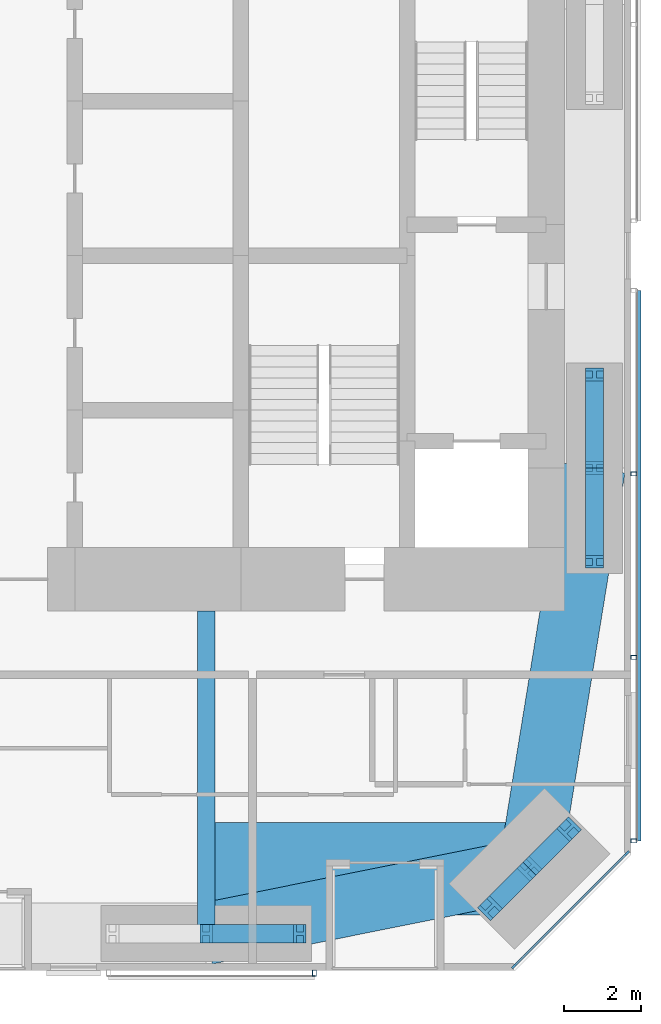
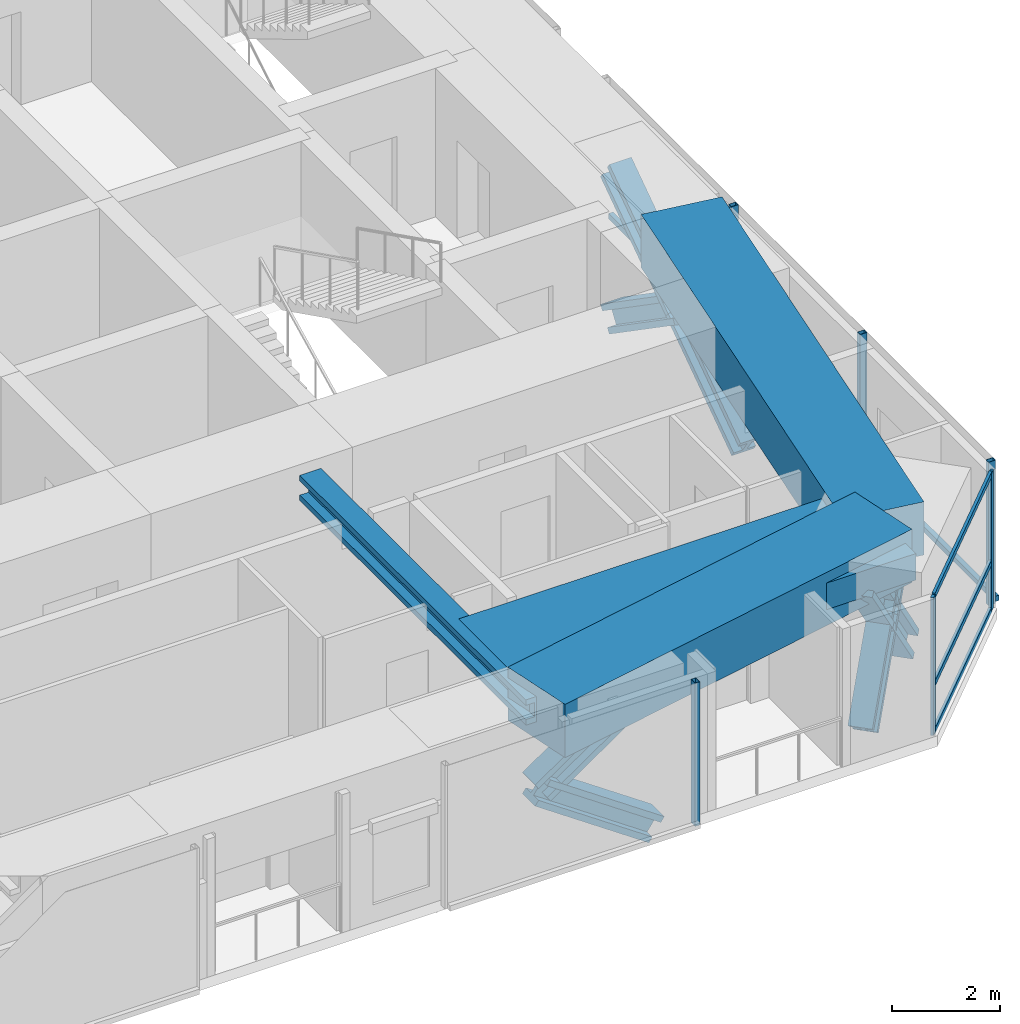
# One storey, part 9 of 24: 20 members, 4 beams, 3 elements without a shape of their own.
"""IFC4 building model written with IfcOpenShell, lengths in metres."""

from ifc_helpers import new_model, si_unit, direction, frame, origin, origin_2d, place, context, subcontext, project, spatial, rectangle, hollow_rectangle, i_section, extrude, material, material_profile, profile_set, type_object, element, aggregate, save


model = new_model("IFC4")

# Units and contexts
model_context = context("Model", 3, precision=1e-05, world=origin(), true_north=direction((0.0, 1.0)))
body_context = subcontext(model_context, "Body", "Model", "MODEL_VIEW")
ifc_project = project(units=[si_unit("LENGTHUNIT", "METRE"), si_unit("AREAUNIT", "SQUARE_METRE"), si_unit("VOLUMEUNIT", "CUBIC_METRE"), si_unit("PLANEANGLEUNIT", "RADIAN"), si_unit("MASSUNIT", "GRAM", prefix="KILO")], contexts=[model_context])

# Site, building, storey
site_placement = place(None, origin())
site = spatial("IfcSite", under=ifc_project, at=site_placement, CompositionType="ELEMENT")
building_placement = place(site_placement, origin())
building = spatial("IfcBuilding", under=site, at=building_placement, Name="Jalousie Tower", CompositionType="ELEMENT")
storey_placement = place(building_placement, frame((0.0, 0.0, 44.449951171875)))
storey = spatial("IfcBuildingStorey", under=building, at=storey_placement, Name="L11", CompositionType="ELEMENT", Elevation=44.449951171875)

# Curtain wall, members
ifc_material_1 = material(Name="Aluminium curtain wall", Category="aluminium")
curtain_wall_type_1 = type_object("IfcCurtainWallType", Name="CORNER WINDOW WALL", PredefinedType="USERDEFINED", material=ifc_material_1)
curtain_wall_1_placement = place(storey_placement, origin())
curtain_wall_1 = element("IfcCurtainWall", 1, at=curtain_wall_1_placement, inside=storey, type_object=curtain_wall_type_1, Name="Corner Window Wall L11 2", ObjectType="CORNER WINDOW WALL", PredefinedType="USERDEFINED")
ifc_material_2 = material(Name="Aluminium mullion", Category="aluminium")
ifc_material_profile_1 = material_profile(ifc_material_2, rectangle(XDim=0.06005859375, YDim=0.14990234375, at=origin_2d()), Name="MULLION 60x150")
ifc_profile_set_1 = profile_set([ifc_material_profile_1], Name="Aluminium mullion")
member_type_1 = type_object("IfcMemberType", Name="CORNER WINDOW WALL MULLION", PredefinedType="MULLION", material=ifc_profile_set_1)
member_1_placement = place(storey_placement, frame((42.969970703125, 0.108642578125, 0.0), z_axis=(0.0, 0.0, 1.0), x_axis=(-0.707106781187, 0.707106781187, 0.0)))
member_1 = element("IfcMember", 2, at=member_1_placement, type_object=member_type_1, Name="CW-C mullion 1", PredefinedType="MULLION", context=body_context, shape_type="SweptSolid", body=[
    extrude(rectangle(XDim=0.06005859375, YDim=0.14990234375, at=origin_2d()), origin(), (0.0, 0.0, 1.0), 3.110107421875),
])
member_2_placement = place(storey_placement, frame((45.891357421875, 3.030029296875, 0.0), z_axis=(0.0, 0.0, 1.0), x_axis=(-0.707106781187, 0.707106781187, 0.0)))
member_2 = element("IfcMember", 3, at=member_2_placement, type_object=member_type_1, Name="CW-C mullion 2", PredefinedType="MULLION", context=body_context, shape_type="SweptSolid", body=[
    extrude(rectangle(XDim=0.06005859375, YDim=0.14990234375, at=origin_2d()), origin(), (0.0, 0.0, 1.0), 3.110107421875),
])
ifc_material_3 = material(Name="Aluminium transom", Category="aluminium")
ifc_material_profile_2 = material_profile(ifc_material_3, rectangle(XDim=0.06005859375, YDim=0.1201171875, at=origin_2d()), Name="TRANSOM 60x120")
ifc_profile_set_2 = profile_set([ifc_material_profile_2], Name="Aluminium transom")
member_type_2 = type_object("IfcMemberType", Name="CORNER WINDOW WALL TRANSOM", PredefinedType="USERDEFINED", material=ifc_profile_set_2)
member_3_placement = place(storey_placement, frame((42.9912109375, 0.1298828125, 0.030029296875), z_axis=(0.707106781187, 0.707106781187, 0.0), x_axis=(-0.707106781187, 0.707106781187, 0.0)))
member_3 = element("IfcMember", 4, at=member_3_placement, type_object=member_type_2, Name="CW-C transom 1.1", ObjectType="TRANSOM", PredefinedType="USERDEFINED", context=body_context, shape_type="SweptSolid", body=[
    extrude(rectangle(XDim=0.06005859375, YDim=0.1201171875, at=origin_2d()), origin(), (0.0, 0.0, 1.0), 4.0712890625),
])
member_4_placement = place(storey_placement, frame((42.9912109375, 0.1298828125, 1.10009765625), z_axis=(0.707106781187, 0.707106781187, 0.0), x_axis=(-0.707106781187, 0.707106781187, 0.0)))
member_4 = element("IfcMember", 5, at=member_4_placement, type_object=member_type_2, Name="CW-C transom 1.2", ObjectType="TRANSOM", PredefinedType="USERDEFINED", context=body_context, shape_type="SweptSolid", body=[
    extrude(rectangle(XDim=0.06005859375, YDim=0.1201171875, at=origin_2d()), origin(), (0.0, 0.0, 1.0), 4.0712890625),
])
member_5_placement = place(storey_placement, frame((42.9912109375, 0.1298828125, 3.080078125), z_axis=(0.707106781187, 0.707106781187, 0.0), x_axis=(-0.707106781187, 0.707106781187, 0.0)))
member_5 = element("IfcMember", 6, at=member_5_placement, type_object=member_type_2, Name="CW-C transom 1.3", ObjectType="TRANSOM", PredefinedType="USERDEFINED", context=body_context, shape_type="SweptSolid", body=[
    extrude(rectangle(XDim=0.06005859375, YDim=0.1201171875, at=origin_2d()), origin(), (0.0, 0.0, 1.0), 4.0712890625),
])
aggregate(curtain_wall_1, [member_1, member_2, member_3, member_4, member_5])

# Beam
ifc_material_4 = material(Name="Steel ASTM A992 Grade 50", Category="steel")
ifc_material_profile_3 = material_profile(ifc_material_4, i_section(OverallWidth=0.45458984375, OverallDepth=0.569091796875, WebThickness=0.077880859375, FlangeThickness=0.124755859375, at=origin_2d()), Name="W14X730")
ifc_profile_set_3 = profile_set([ifc_material_profile_3], Name="Steel ASTM A992 Grade 50")
beam_type_1 = type_object("IfcBeamType", Name="LEAN COLLECTOR W14X730", PredefinedType="BEAM", material=ifc_profile_set_3)
beam_1_placement = place(storey_placement, frame((35.0, 0.949951171875, 2.825439453125), z_axis=(0.0, 1.0, 0.0), x_axis=(-1.0, 0.0, 0.0)))
element("IfcBeam", 7, at=beam_1_placement, inside=storey, type_object=beam_type_1, Name="Lean collector under L12", PredefinedType="BEAM", context=body_context, shape_type="SweptSolid", body=[
    extrude(i_section(OverallWidth=0.45458984375, OverallDepth=0.569091796875, WebThickness=0.077880859375, FlangeThickness=0.124755859375, at=origin_2d()), origin(), (0.0, 0.0, 1.0), 8.35009765625),
])

# Members
ifc_material_5 = material(Name="Steel ASTM A992 Grade 50", Category="steel")
ifc_material_profile_4 = material_profile(ifc_material_5, i_section(OverallWidth=0.472412109375, OverallDepth=0.5791015625, WebThickness=0.094970703125, FlangeThickness=0.1298828125, at=origin_2d()), Name="W14X808")
ifc_profile_set_4 = profile_set([ifc_material_profile_4], Name="Steel ASTM A992 Grade 50")
member_type_3 = type_object("IfcMemberType", Name="PERIMETER BRACE W14X808", PredefinedType="BRACE", material=ifc_profile_set_4)
for number, where, z_axis, x_axis, name in (
    (8, (35.0, 0.949951171875, 1.074951171875), (0.822800062329, 0.0, 0.568330940062), (0.0, 1.0, 0.0), "Perimeter brace 04 L11 part 2"),
    (9, (37.425048828125, 0.949951171875, -0.599853515625), (-0.82283879777, 0.0, 0.568274856811), (0.0, -1.0, 0.0), "Perimeter brace 04 L11 part 3"),
):
    element("IfcMember", number, at=place(storey_placement, frame(where, z_axis=z_axis, x_axis=x_axis)), inside=storey, type_object=member_type_3, Name=name, PredefinedType="BRACE", context=body_context, shape_type="SweptSolid", body=[
        extrude(i_section(OverallWidth=0.472412109375, OverallDepth=0.5791015625, WebThickness=0.094970703125, FlangeThickness=0.1298828125, at=origin_2d()), origin(), (0.0, 0.0, 1.0), 2.947265625),
    ])
for number, where, z_axis, x_axis, name in (
    (10, (42.34326171875, 1.606201171875, -0.599853515625), (0.462878559809, 0.462768350628, 0.756034981021), (-0.707022586774, 0.707190965575, 0.0), "Perimeter brace 05 L11 part 1"),
    (11, (43.36865234375, 2.63134765625, 1.074951171875), (0.462729793854, 0.462839993852, 0.756082189957), (-0.707190965575, 0.707022586774, 0.0), "Perimeter brace 05 L11 part 2"),
    (12, (44.393798828125, 3.65673828125, -0.599853515625), (-0.462768350628, -0.462878559809, 0.756034981021), (0.707190965575, -0.707022586774, 0.0), "Perimeter brace 05 L11 part 3"),
    (13, (43.36865234375, 2.63134765625, 1.074951171875), (-0.462839993852, -0.462729793854, 0.756082189957), (0.707022586774, -0.707190965575, 0.0), "Perimeter brace 05 L11 part 4"),
):
    element("IfcMember", number, at=place(storey_placement, frame(where, z_axis=z_axis, x_axis=x_axis)), inside=storey, type_object=member_type_3, Name=name, PredefinedType="BRACE", context=body_context, shape_type="SweptSolid", body=[
        extrude(i_section(OverallWidth=0.472412109375, OverallDepth=0.5791015625, WebThickness=0.094970703125, FlangeThickness=0.1298828125, at=origin_2d()), origin(), (0.0, 0.0, 1.0), 2.21533203125),
    ])
for number, where, z_axis, x_axis, name in (
    (14, (45.050048828125, 10.574951171875, -0.599853515625), (0.0, 0.82283879777, 0.568274856811), (-1.0, 0.0, 0.0), "Perimeter brace 06 L11 part 1"),
    (15, (45.050048828125, 13.0, 1.074951171875), (0.0, 0.822800062329, 0.568330940062), (-1.0, 0.0, 0.0), "Perimeter brace 06 L11 part 2"),
    (16, (45.050048828125, 15.425048828125, -0.599853515625), (0.0, -0.82283879777, 0.568274856811), (1.0, 0.0, 0.0), "Perimeter brace 06 L11 part 3"),
    (17, (45.050048828125, 13.0, 1.074951171875), (0.0, -0.822800062329, 0.568330940062), (1.0, 0.0, 0.0), "Perimeter brace 06 L11 part 4"),
):
    element("IfcMember", number, at=place(storey_placement, frame(where, z_axis=z_axis, x_axis=x_axis)), inside=storey, type_object=member_type_3, Name=name, PredefinedType="BRACE", context=body_context, shape_type="SweptSolid", body=[
        extrude(i_section(OverallWidth=0.472412109375, OverallDepth=0.5791015625, WebThickness=0.094970703125, FlangeThickness=0.1298828125, at=origin_2d()), origin(), (0.0, 0.0, 1.0), 2.947265625),
    ])

# Beams
ifc_material_6 = material(Name="Concrete f'c 40 MPa", Category="concrete")
ifc_material_profile_5 = material_profile(ifc_material_6, rectangle(XDim=1.60009765625, YDim=1.199951171875, at=origin_2d()), Name="RC 1600x1200")
ifc_profile_set_5 = profile_set([ifc_material_profile_5], Name="Concrete f'c 40 MPa")
beam_type_2 = type_object("IfcBeamType", Name="RC BEAM 1600x1200", PredefinedType="BEAM", material=ifc_profile_set_5)
beam_2_placement = place(storey_placement, frame((35.0, 0.949951171875, 2.75), z_axis=(0.980407585444, 0.196979609107, 0.0), x_axis=(-0.196979609107, 0.980407585444, 0.0)))
element("IfcBeam", 18, at=beam_2_placement, inside=storey, type_object=beam_type_2, Name="Edge band beam 04-05 under L12", PredefinedType="BEAM", context=body_context, shape_type="SweptSolid", body=[
    extrude(rectangle(XDim=1.60009765625, YDim=1.199951171875, at=origin_2d()), origin(), (0.0, 0.0, 1.0), 8.535888671875),
])
beam_3_placement = place(storey_placement, frame((43.36865234375, 2.63134765625, 2.75), z_axis=(0.160070546476, 0.987105577003, 0.0), x_axis=(-0.987105577003, 0.160070546476, 0.0)))
element("IfcBeam", 19, at=beam_3_placement, inside=storey, type_object=beam_type_2, Name="Edge band beam 05-06 under L12", PredefinedType="BEAM", context=body_context, shape_type="SweptSolid", body=[
    extrude(rectangle(XDim=1.60009765625, YDim=1.199951171875, at=origin_2d()), origin(), (0.0, 0.0, 1.0), 10.504150390625),
])
ifc_material_7 = material(Name="Concrete f'c 40 MPa", Category="concrete")
ifc_material_profile_6 = material_profile(ifc_material_7, rectangle(XDim=2.39990234375, YDim=0.60009765625, at=origin_2d()), Name="RC 2400x600")
ifc_profile_set_6 = profile_set([ifc_material_profile_6], Name="Concrete f'c 40 MPa")
beam_type_3 = type_object("IfcBeamType", Name="RC BEAM 2400x600", PredefinedType="BEAM", material=ifc_profile_set_6)
beam_4_placement = place(storey_placement, frame((43.36865234375, 2.63134765625, 2.81005859375), z_axis=(-1.0, 0.0, 0.0), x_axis=(0.0, -1.0, 0.0)))
element("IfcBeam", 20, at=beam_4_placement, inside=storey, type_object=beam_type_3, Name="Floor band beam under L12", PredefinedType="BEAM", context=body_context, shape_type="SweptSolid", body=[
    extrude(rectangle(XDim=2.39990234375, YDim=0.60009765625, at=origin_2d()), origin(), (0.0, 0.0, 1.0), 8.36865234375),
])

# Curtain wall, member
ifc_material_8 = material(Name="Perforated aluminium sheet", Category="aluminium")
curtain_wall_type_2 = type_object("IfcCurtainWallType", Name="SOLAR SCREEN SS-1", PredefinedType="USERDEFINED", material=ifc_material_8)
curtain_wall_2_placement = place(storey_placement, origin())
curtain_wall_2 = element("IfcCurtainWall", 21, at=curtain_wall_2_placement, inside=storey, type_object=curtain_wall_type_2, Name="Solar screen L11", ObjectType="SOLAR SCREEN SS-1", PredefinedType="USERDEFINED")
ifc_material_9 = material(Name="Steel ASTM A500 Grade C", Category="steel")
ifc_material_profile_7 = material_profile(ifc_material_9, hollow_rectangle(XDim=0.1015625, YDim=0.15234375, WallThickness=0.00634765625, at=origin_2d()), Name="HSS6X4X1/4")
ifc_profile_set_7 = profile_set([ifc_material_profile_7], Name="Steel ASTM A500 Grade C")
member_type_4 = type_object("IfcMemberType", Name="SOLAR SCREEN SS-1 MULLION", PredefinedType="MULLION", material=ifc_profile_set_7)
member_6_placement = place(storey_placement, frame((37.800048828125, -0.0712890625, -0.119873046875), z_axis=(0.0, 0.0, 1.0), x_axis=(1.0, 0.0, 0.0)))
member_6 = element("IfcMember", 22, at=member_6_placement, type_object=member_type_4, Name="SS1 post 2", PredefinedType="MULLION", context=body_context, shape_type="SweptSolid", body=[
    extrude(hollow_rectangle(XDim=0.1015625, YDim=0.15234375, WallThickness=0.00634765625, at=origin_2d()), origin(), (0.0, 0.0, 1.0), 3.22998046875),
])
aggregate(curtain_wall_2, [member_6])

# Curtain wall, members
curtain_wall_3_placement = place(storey_placement, origin())
curtain_wall_3 = element("IfcCurtainWall", 23, at=curtain_wall_3_placement, inside=storey, type_object=curtain_wall_type_2, Name="Solar screen L11", ObjectType="SOLAR SCREEN SS-1", PredefinedType="USERDEFINED")
member_7_placement = place(storey_placement, frame((46.0712890625, 3.351318359375, -0.119873046875), z_axis=(0.0, 0.0, 1.0), x_axis=(0.0, 1.0, 0.0)))
member_7 = element("IfcMember", 24, at=member_7_placement, type_object=member_type_4, Name="SS1 post 1", PredefinedType="MULLION", context=body_context, shape_type="SweptSolid", body=[
    extrude(hollow_rectangle(XDim=0.1015625, YDim=0.15234375, WallThickness=0.00634765625, at=origin_2d()), origin(), (0.0, 0.0, 1.0), 3.22998046875),
])
member_8_placement = place(storey_placement, frame((46.0712890625, 8.100830078125, -0.119873046875), z_axis=(0.0, 0.0, 1.0), x_axis=(0.0, 1.0, 0.0)))
member_8 = element("IfcMember", 25, at=member_8_placement, type_object=member_type_4, Name="SS1 post 2", PredefinedType="MULLION", context=body_context, shape_type="SweptSolid", body=[
    extrude(hollow_rectangle(XDim=0.1015625, YDim=0.15234375, WallThickness=0.00634765625, at=origin_2d()), origin(), (0.0, 0.0, 1.0), 3.22998046875),
])
member_9_placement = place(storey_placement, frame((46.0712890625, 12.850341796875, -0.119873046875), z_axis=(0.0, 0.0, 1.0), x_axis=(0.0, 1.0, 0.0)))
member_9 = element("IfcMember", 26, at=member_9_placement, type_object=member_type_4, Name="SS1 post 3", PredefinedType="MULLION", context=body_context, shape_type="SweptSolid", body=[
    extrude(hollow_rectangle(XDim=0.1015625, YDim=0.15234375, WallThickness=0.00634765625, at=origin_2d()), origin(), (0.0, 0.0, 1.0), 3.22998046875),
])
ifc_material_10 = material(Name="Extruded aluminium screen rail", Category="aluminium")
ifc_material_profile_8 = material_profile(ifc_material_10, rectangle(XDim=0.1015625, YDim=0.1201171875, at=origin_2d()), Name="RAIL 102x120")
ifc_profile_set_8 = profile_set([ifc_material_profile_8], Name="Extruded aluminium screen rail")
member_type_5 = type_object("IfcMemberType", Name="SOLAR SCREEN SS-1 TRANSOM", PredefinedType="USERDEFINED", material=ifc_profile_set_8)
member_10_placement = place(storey_placement, frame((46.1982421875, 3.351318359375, -0.06005859375), z_axis=(0.0, 1.0, 0.0), x_axis=(-1.0, 0.0, 0.0)))
member_10 = element("IfcMember", 27, at=member_10_placement, type_object=member_type_5, Name="SS1 rail", ObjectType="TRANSOM", PredefinedType="USERDEFINED", context=body_context, shape_type="SweptSolid", body=[
    extrude(rectangle(XDim=0.1015625, YDim=0.1201171875, at=origin_2d()), origin(), (0.0, 0.0, 1.0), 14.248779296875),
])
aggregate(curtain_wall_3, [member_7, member_8, member_9, member_10])

save(model, "model.ifc")
